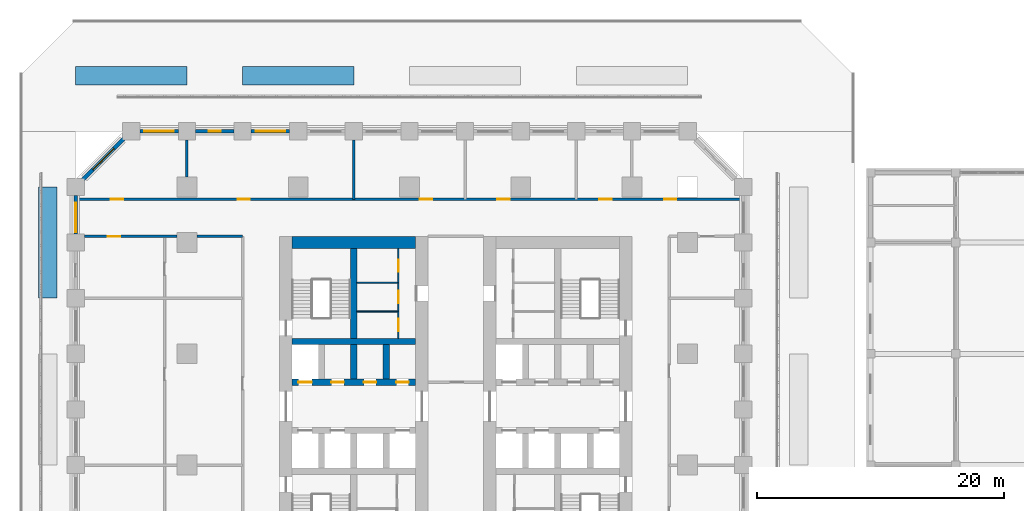
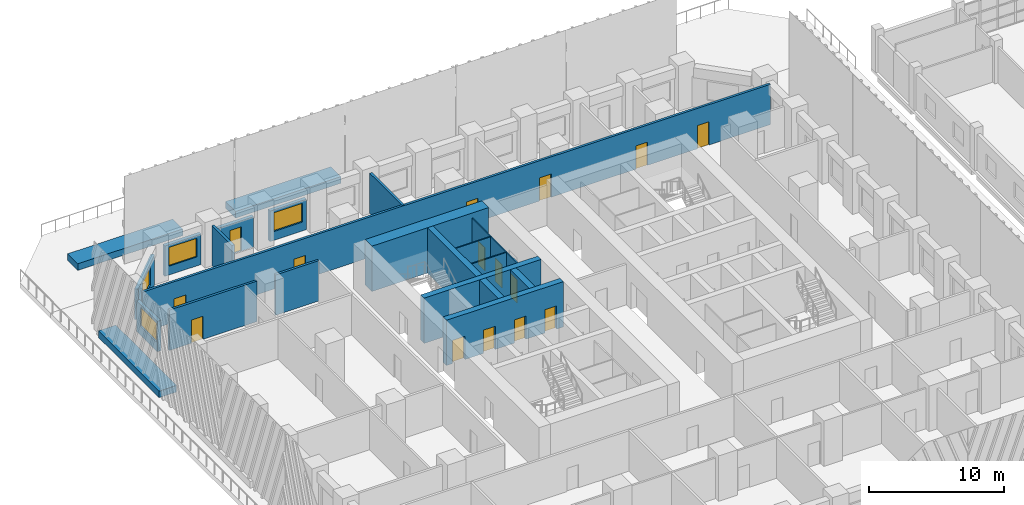
# One storey, part 20 of 36: 24 walls, 15 doors, 4 windows, 19 openings.
"""IFC4 building model written with IfcOpenShell, lengths in metres."""

from ifc_helpers import new_model, si_unit, direction, frame, frame_2d, origin, place, context, subcontext, project, spatial, rectangle, extrude, material, layer, layer_set, type_object, element, fill, save


model = new_model("IFC4")

# Units and contexts
model_context = context("Model", 3, precision=1e-05, world=origin(), true_north=direction((0.0, 1.0)))
body_context = subcontext(model_context, "Body", "Model", "MODEL_VIEW")
ifc_project = project(units=[si_unit("LENGTHUNIT", "METRE"), si_unit("AREAUNIT", "SQUARE_METRE"), si_unit("VOLUMEUNIT", "CUBIC_METRE"), si_unit("PLANEANGLEUNIT", "RADIAN"), si_unit("MASSUNIT", "GRAM", prefix="KILO")], contexts=[model_context])

# Site, building, storey
site_placement = place(None, origin())
site = spatial("IfcSite", under=ifc_project, at=site_placement, CompositionType="ELEMENT")
building_placement = place(site_placement, origin())
building = spatial("IfcBuilding", under=site, at=building_placement, Name="Corbel Stack Research Tower", CompositionType="ELEMENT")
storey_placement = place(building_placement, frame((0.0, 0.0, 7.199951171875)))
storey = spatial("IfcBuildingStorey", under=building, at=storey_placement, Name="L01", CompositionType="ELEMENT", Elevation=7.199951171875)

# Wall
ifc_material_1 = material(Name="Concrete C70/85", Category="concrete")
ifc_layer_1 = layer(ifc_material_1, 1.0)
ifc_layer_set_1 = layer_set([ifc_layer_1], Name="Concrete C70/85")
wall_type_1 = type_object("IfcWallType", Name="CW-1000-70", PredefinedType="SHEAR", material=ifc_layer_set_1)
wall_1_placement = place(storey_placement, frame((-9.5, 18.0, 0.0), z_axis=(0.0, 0.0, 1.0), x_axis=(1.0, 0.0, 0.0)))
element("IfcWall", 1, at=wall_1_placement, inside=storey, type_object=wall_type_1, Name="West core wall, north end L01", PredefinedType="SHEAR", context=body_context, shape_type="SweptSolid", body=[
    extrude(rectangle(XDim=10.0, YDim=1.0, at=frame_2d((5.0, 0.0))), origin(), (0.0, 0.0, 1.0), 4.10009765625),
])

# Wall, openings, doors
ifc_material_2 = material(Name="Concrete C70/85", Category="concrete")
ifc_layer_2 = layer(ifc_material_2, 0.5)
ifc_layer_set_2 = layer_set([ifc_layer_2], Name="Concrete C70/85")
wall_type_2 = type_object("IfcWallType", Name="CW-500-70", PredefinedType="SHEAR", material=ifc_layer_set_2)
wall_2_placement = place(storey_placement, frame((-9.5, 6.699951171875, 0.0), z_axis=(0.0, 0.0, 1.0), x_axis=(1.0, 0.0, 0.0)))
wall_2 = element("IfcWall", 2, at=wall_2_placement, inside=storey, type_object=wall_type_2, Name="West core wall, lobby north L01", PredefinedType="SHEAR", context=body_context, shape_type="SweptSolid", body=[
    extrude(rectangle(XDim=10.0, YDim=0.5, at=frame_2d((5.0, 0.0))), origin(), (0.0, 0.0, 1.0), 4.10009765625),
])
opening_1_placement = place(wall_2_placement, frame((0.512451171875, 0.0, 0.0)))
opening_1 = element("IfcOpeningElement", 3, at=opening_1_placement, cuts=wall_2, Name="Opening LD-LR2", PredefinedType="OPENING", context=body_context, shape_type="SweptSolid", body=[
    extrude(rectangle(XDim=1.10009765625, YDim=2.10009765625, at=frame_2d((0.550048828125, 1.050048828125))), frame((0.0, 0.260009765625, 0.0), z_axis=(0.0, -1.0, 0.0), x_axis=(1.0, 0.0, 0.0)), (0.0, 0.0, 1.0), 0.52001953125),
])
opening_2_placement = place(wall_2_placement, frame((3.1875, 0.0, 0.0)))
opening_2 = element("IfcOpeningElement", 4, at=opening_2_placement, cuts=wall_2, Name="Opening CR-W12-N2", PredefinedType="OPENING", context=body_context, shape_type="SweptSolid", body=[
    extrude(rectangle(XDim=1.0, YDim=2.10009765625, at=frame_2d((0.5, 1.050048828125))), frame((0.0, 0.260009765625, 0.0), z_axis=(0.0, -1.0, 0.0), x_axis=(1.0, 0.0, 0.0)), (0.0, 0.0, 1.0), 0.52001953125),
])
opening_3_placement = place(wall_2_placement, frame((5.8125, 0.0, 0.0)))
opening_3 = element("IfcOpeningElement", 5, at=opening_3_placement, cuts=wall_2, Name="Opening CR-W12-N3", PredefinedType="OPENING", context=body_context, shape_type="SweptSolid", body=[
    extrude(rectangle(XDim=1.0, YDim=2.10009765625, at=frame_2d((0.5, 1.050048828125))), frame((0.0, 0.260009765625, 0.0), z_axis=(0.0, -1.0, 0.0), x_axis=(1.0, 0.0, 0.0)), (0.0, 0.0, 1.0), 0.52001953125),
])
opening_4_placement = place(wall_2_placement, frame((8.4375, 0.0, 0.0)))
opening_4 = element("IfcOpeningElement", 6, at=opening_4_placement, cuts=wall_2, Name="Opening CR-W12-N4", PredefinedType="OPENING", context=body_context, shape_type="SweptSolid", body=[
    extrude(rectangle(XDim=1.0, YDim=2.10009765625, at=frame_2d((0.5, 1.050048828125))), frame((0.0, 0.260009765625, 0.0), z_axis=(0.0, -1.0, 0.0), x_axis=(1.0, 0.0, 0.0)), (0.0, 0.0, 1.0), 0.52001953125),
])
ifc_material_3 = material(Name="Stainless steel landing door", Category="steel")
door_type_1 = type_object("IfcDoorType", Name="Lift landing door 1100 x 2100", OperationType="DOUBLE_DOOR_SLIDING", PredefinedType="DOOR", material=ifc_material_3)
door_1_placement = place(opening_1_placement, origin())
door_1 = element("IfcDoor", 7, at=door_1_placement, inside=storey, type_object=door_type_1, Name="Landing door LR2", OperationType="DOUBLE_DOOR_SLIDING", OverallHeight=2.10009765625, OverallWidth=1.10009765625, PredefinedType="DOOR", context=body_context, shape_type="SweptSolid", body=[
    extrude(rectangle(XDim=1.10009765625, YDim=2.10009765625, at=frame_2d((0.550048828125, 1.050048828125))), frame((0.0, 0.02490234375, 0.0), z_axis=(0.0, -1.0, 0.0), x_axis=(1.0, 0.0, 0.0)), (0.0, 0.0, 1.0), 0.050048828125),
])
fill(opening_1, door_1)
ifc_material_4 = material(Name="Painted steel door", Category="steel")
door_type_2 = type_object("IfcDoorType", Name="Service door 1000 x 2100 FD60 left hand", OperationType="SINGLE_SWING_LEFT", PredefinedType="DOOR", material=ifc_material_4)
door_2_placement = place(opening_3_placement, origin())
door_2 = element("IfcDoor", 8, at=door_2_placement, inside=storey, type_object=door_type_2, Name="Mechanical room door W core", OperationType="SINGLE_SWING_LEFT", OverallHeight=2.10009765625, OverallWidth=1.0, PredefinedType="DOOR", context=body_context, shape_type="SweptSolid", body=[
    extrude(rectangle(XDim=1.0, YDim=2.10009765625, at=frame_2d((0.5, 1.050048828125))), frame((0.0, 0.02490234375, 0.0), z_axis=(0.0, -1.0, 0.0), x_axis=(1.0, 0.0, 0.0)), (0.0, 0.0, 1.0), 0.050048828125),
])
fill(opening_3, door_2)
ifc_material_5 = material(Name="Painted steel door", Category="steel")
door_type_3 = type_object("IfcDoorType", Name="Service door 1000 x 2100 FD60 right hand", OperationType="SINGLE_SWING_RIGHT", PredefinedType="DOOR", material=ifc_material_5)
door_3_placement = place(opening_2_placement, origin())
door_3 = element("IfcDoor", 9, at=door_3_placement, inside=storey, type_object=door_type_3, Name="Vending bay door W core", OperationType="SINGLE_SWING_RIGHT", OverallHeight=2.10009765625, OverallWidth=1.0, PredefinedType="DOOR", context=body_context, shape_type="SweptSolid", body=[
    extrude(rectangle(XDim=1.0, YDim=2.10009765625, at=frame_2d((0.5, 1.050048828125))), frame((0.0, 0.02490234375, 0.0), z_axis=(0.0, -1.0, 0.0), x_axis=(1.0, 0.0, 0.0)), (0.0, 0.0, 1.0), 0.050048828125),
])
fill(opening_2, door_3)
door_4_placement = place(opening_4_placement, origin())
door_4 = element("IfcDoor", 10, at=door_4_placement, inside=storey, type_object=door_type_3, Name="Telecom room door W core", OperationType="SINGLE_SWING_RIGHT", OverallHeight=2.10009765625, OverallWidth=1.0, PredefinedType="DOOR", context=body_context, shape_type="SweptSolid", body=[
    extrude(rectangle(XDim=1.0, YDim=2.10009765625, at=frame_2d((0.5, 1.050048828125))), frame((0.0, 0.02490234375, 0.0), z_axis=(0.0, -1.0, 0.0), x_axis=(1.0, 0.0, 0.0)), (0.0, 0.0, 1.0), 0.050048828125),
])
fill(opening_4, door_4)

# Walls
wall_3_placement = place(storey_placement, frame((-9.5, 10.0, 0.0), z_axis=(0.0, 0.0, 1.0), x_axis=(1.0, 0.0, 0.0)))
element("IfcWall", 11, at=wall_3_placement, inside=storey, type_object=wall_type_2, Name="West core wall, north row back L01", PredefinedType="SHEAR", context=body_context, shape_type="SweptSolid", body=[
    extrude(rectangle(XDim=10.0, YDim=0.5, at=frame_2d((5.0, 0.0))), origin(), (0.0, 0.0, 1.0), 4.10009765625),
])
for number, where, z_axis, x_axis, name in (
    (12, (-4.5, 6.949951171875, 0.0), (0.0, 0.0, 1.0), (0.0, 1.0, 0.0), "West core wall, north shaft 2 L01"),
    (13, (-1.875, 6.949951171875, 0.0), (0.0, 0.0, 1.0), (0.0, 1.0, 0.0), "West core wall, north shaft 3 L01"),
):
    element("IfcWall", number, at=place(storey_placement, frame(where, z_axis=z_axis, x_axis=x_axis)), inside=storey, type_object=wall_type_2, Name=name, PredefinedType="SHEAR", context=body_context, shape_type="SweptSolid", body=[
        extrude(rectangle(XDim=2.800048828125, YDim=0.5, at=frame_2d((1.39990234375, 0.0))), origin(), (0.0, 0.0, 1.0), 4.10009765625),
    ])
wall_4_placement = place(storey_placement, frame((-4.5, 10.25, 0.0), z_axis=(0.0, 0.0, 1.0), x_axis=(0.0, 1.0, 0.0)))
element("IfcWall", 14, at=wall_4_placement, inside=storey, type_object=wall_type_2, Name="West core wall, north stair and riser L01", PredefinedType="SHEAR", context=body_context, shape_type="SweptSolid", body=[
    extrude(rectangle(XDim=7.25, YDim=0.5, at=frame_2d((3.625, 0.0))), origin(), (0.0, 0.0, 1.0), 4.10009765625),
])

# Wall, opening, door
ifc_material_6 = material(Name="Gypsum board")
ifc_layer_3 = layer(ifc_material_6, 0.10009765625)
ifc_layer_set_3 = layer_set([ifc_layer_3], Name="Gypsum board")
wall_type_3 = type_object("IfcWallType", Name="Core partition 100", PredefinedType="PARTITIONING", material=ifc_layer_set_3)
wall_5_placement = place(storey_placement, frame((-0.89990234375, 10.25, 0.0), z_axis=(0.0, 0.0, 1.0), x_axis=(0.0, 1.0, 0.0)))
wall_5 = element("IfcWall", 15, at=wall_5_placement, inside=storey, type_object=wall_type_3, Name="Core partition W", PredefinedType="PARTITIONING", context=body_context, shape_type="SweptSolid", body=[
    extrude(rectangle(XDim=2.175048828125, YDim=0.10009765625, at=frame_2d((1.08740234375, 0.0))), origin(), (0.0, 0.0, 1.0), 3.650146484375),
])
opening_5_placement = place(wall_5_placement, frame((0.58740234375, 0.0, 0.0)))
opening_5 = element("IfcOpeningElement", 16, at=opening_5_placement, cuts=wall_5, Name="Opening CR-W12-R2-1000", PredefinedType="OPENING", context=body_context, shape_type="SweptSolid", body=[
    extrude(rectangle(XDim=1.0, YDim=2.10009765625, at=frame_2d((0.5, 1.050048828125))), frame((0.0, 0.06005859375, 0.0), z_axis=(0.0, -1.0, 0.0), x_axis=(1.0, 0.0, 0.0)), (0.0, 0.0, 1.0), 0.1201171875),
])
ifc_material_7 = material(Name="Painted steel door", Category="steel")
door_type_4 = type_object("IfcDoorType", Name="Riser door 1000 x 2100 FD60 right hand", OperationType="SINGLE_SWING_RIGHT", PredefinedType="DOOR", material=ifc_material_7)
door_5_placement = place(opening_5_placement, origin())
door_5 = element("IfcDoor", 17, at=door_5_placement, inside=storey, type_object=door_type_4, Name="Mechanical riser door W core", OperationType="SINGLE_SWING_RIGHT", OverallHeight=2.10009765625, OverallWidth=1.0, PredefinedType="DOOR", context=body_context, shape_type="SweptSolid", body=[
    extrude(rectangle(XDim=1.0, YDim=2.10009765625, at=frame_2d((0.5, 1.050048828125))), frame((0.0, 0.02490234375, 0.0), z_axis=(0.0, -1.0, 0.0), x_axis=(1.0, 0.0, 0.0)), (0.0, 0.0, 1.0), 0.050048828125),
])
fill(opening_5, door_5)

wall_6_placement = place(storey_placement, frame((-0.89990234375, 12.425048828125, 0.0), z_axis=(0.0, 0.0, 1.0), x_axis=(0.0, 1.0, 0.0)))
wall_6 = element("IfcWall", 18, at=wall_6_placement, inside=storey, type_object=wall_type_3, Name="Core partition W", PredefinedType="PARTITIONING", context=body_context, shape_type="SweptSolid", body=[
    extrude(rectangle(XDim=2.320068359375, YDim=0.10009765625, at=frame_2d((1.16015625, 0.0))), origin(), (0.0, 0.0, 1.0), 3.650146484375),
])
opening_6_placement = place(wall_6_placement, frame((0.659912109375, 0.0, 0.0)))
opening_6 = element("IfcOpeningElement", 19, at=opening_6_placement, cuts=wall_6, Name="Opening CR-W12-R3-1000", PredefinedType="OPENING", context=body_context, shape_type="SweptSolid", body=[
    extrude(rectangle(XDim=1.0, YDim=2.10009765625, at=frame_2d((0.5, 1.050048828125))), frame((0.0, 0.06005859375, 0.0), z_axis=(0.0, -1.0, 0.0), x_axis=(1.0, 0.0, 0.0)), (0.0, 0.0, 1.0), 0.1201171875),
])
ifc_material_8 = material(Name="Painted steel door", Category="steel")
door_type_5 = type_object("IfcDoorType", Name="Service door 1000 x 2100 FD30 left hand", OperationType="SINGLE_SWING_LEFT", PredefinedType="DOOR", material=ifc_material_8)
door_6_placement = place(opening_6_placement, origin())
door_6 = element("IfcDoor", 20, at=door_6_placement, inside=storey, type_object=door_type_5, Name="Pantry door W core", OperationType="SINGLE_SWING_LEFT", OverallHeight=2.10009765625, OverallWidth=1.0, PredefinedType="DOOR", context=body_context, shape_type="SweptSolid", body=[
    extrude(rectangle(XDim=1.0, YDim=2.10009765625, at=frame_2d((0.5, 1.050048828125))), frame((0.0, 0.02490234375, 0.0), z_axis=(0.0, -1.0, 0.0), x_axis=(1.0, 0.0, 0.0)), (0.0, 0.0, 1.0), 0.050048828125),
])
fill(opening_6, door_6)

wall_7_placement = place(storey_placement, frame((-0.89990234375, 14.7451171875, 0.0), z_axis=(0.0, 0.0, 1.0), x_axis=(0.0, 1.0, 0.0)))
wall_7 = element("IfcWall", 21, at=wall_7_placement, inside=storey, type_object=wall_type_3, Name="Core partition W", PredefinedType="PARTITIONING", context=body_context, shape_type="SweptSolid", body=[
    extrude(rectangle(XDim=2.7548828125, YDim=0.10009765625, at=frame_2d((1.37744140625, 0.0))), origin(), (0.0, 0.0, 1.0), 3.650146484375),
])
opening_7_placement = place(wall_7_placement, frame((0.87744140625, 0.0, 0.0)))
opening_7 = element("IfcOpeningElement", 22, at=opening_7_placement, cuts=wall_7, Name="Opening CR-W12-R4-1000", PredefinedType="OPENING", context=body_context, shape_type="SweptSolid", body=[
    extrude(rectangle(XDim=1.0, YDim=2.10009765625, at=frame_2d((0.5, 1.050048828125))), frame((0.0, 0.06005859375, 0.0), z_axis=(0.0, -1.0, 0.0), x_axis=(1.0, 0.0, 0.0)), (0.0, 0.0, 1.0), 0.1201171875),
])
door_7_placement = place(opening_7_placement, origin())
door_7 = element("IfcDoor", 23, at=door_7_placement, inside=storey, type_object=door_type_4, Name="Electrical riser door W core", OperationType="SINGLE_SWING_RIGHT", OverallHeight=2.10009765625, OverallWidth=1.0, PredefinedType="DOOR", context=body_context, shape_type="SweptSolid", body=[
    extrude(rectangle(XDim=1.0, YDim=2.10009765625, at=frame_2d((0.5, 1.050048828125))), frame((0.0, 0.02490234375, 0.0), z_axis=(0.0, -1.0, 0.0), x_axis=(1.0, 0.0, 0.0)), (0.0, 0.0, 1.0), 0.050048828125),
])
fill(opening_7, door_7)

# Walls
for number, where, z_axis, x_axis, name in (
    (24, (-4.25, 12.425048828125, 0.0), (0.0, 0.0, 1.0), (1.0, 0.0, 0.0), "Core partition W"),
    (25, (-4.25, 14.7451171875, 0.0), (0.0, 0.0, 1.0), (1.0, 0.0, 0.0), "Core partition W"),
):
    element("IfcWall", number, at=place(storey_placement, frame(where, z_axis=z_axis, x_axis=x_axis)), inside=storey, type_object=wall_type_3, Name=name, PredefinedType="PARTITIONING", context=body_context, shape_type="SweptSolid", body=[
        extrude(rectangle(XDim=3.35009765625, YDim=0.10009765625, at=frame_2d((1.675048828125, 0.0))), origin(), (0.0, 0.0, 1.0), 3.650146484375),
    ])
ifc_material_9 = material(Name="Fire-rated gypsum board partition on steel studs", Category="steel")
ifc_layer_4 = layer(ifc_material_9, 0.199951171875)
ifc_layer_set_4 = layer_set([ifc_layer_4], Name="Fire-rated gypsum board partition on steel studs")
wall_type_4 = type_object("IfcWallType", Name="Fire-rated partition 200 EI 60", PredefinedType="PARTITIONING", material=ifc_layer_set_4)
wall_8_placement = place(storey_placement, frame((-18.0, 23.300048828125, 0.0), z_axis=(0.0, 0.0, 1.0), x_axis=(0.0, 1.0, 0.0)))
element("IfcWall", 26, at=wall_8_placement, inside=storey, type_object=wall_type_4, Name="Partition L01-004", PredefinedType="PARTITIONING", context=body_context, shape_type="SweptSolid", body=[
    extrude(rectangle(XDim=3.0, YDim=0.199951171875, at=frame_2d((1.5, 0.0))), origin(), (0.0, 0.0, 1.0), 3.650146484375),
])
wall_9_placement = place(storey_placement, frame((-4.5, 21.5, 0.0), z_axis=(0.0, 0.0, 1.0), x_axis=(0.0, 1.0, 0.0)))
element("IfcWall", 27, at=wall_9_placement, inside=storey, type_object=wall_type_4, Name="Partition L01-007", PredefinedType="PARTITIONING", context=body_context, shape_type="SweptSolid", body=[
    extrude(rectangle(XDim=4.800048828125, YDim=0.199951171875, at=frame_2d((2.39990234375, 0.0))), origin(), (0.0, 0.0, 1.0), 3.650146484375),
])

# Wall, opening, door
wall_10_placement = place(storey_placement, frame((-18.800048828125, 18.5, 0.0), z_axis=(0.0, 0.0, 1.0), x_axis=(-1.0, 0.0, 0.0)))
wall_10 = element("IfcWall", 28, at=wall_10_placement, inside=storey, type_object=wall_type_4, Name="Partition L01-035", PredefinedType="PARTITIONING", context=body_context, shape_type="SweptSolid", body=[
    extrude(rectangle(XDim=7.5, YDim=0.199951171875, at=frame_2d((3.75, 0.0))), origin(), (0.0, 0.0, 1.0), 3.650146484375),
])
opening_8_placement = place(wall_10_placement, frame((4.60009765625, 0.0, 0.0)))
opening_8 = element("IfcOpeningElement", 29, at=opening_8_placement, cuts=wall_10, Name="Opening B1V0H-019", PredefinedType="OPENING", context=body_context, shape_type="SweptSolid", body=[
    extrude(rectangle(XDim=1.0, YDim=2.10009765625, at=frame_2d((0.5, 1.050048828125))), frame((0.0, 0.10986328125, 0.0), z_axis=(0.0, -1.0, 0.0), x_axis=(1.0, 0.0, 0.0)), (0.0, 0.0, 1.0), 0.219970703125),
])
ifc_material_10 = material(Name="Painted steel fire door", Category="steel")
door_type_6 = type_object("IfcDoorType", Name="Fire door FD30S 1000 x 2100", OperationType="NOTDEFINED", PredefinedType="DOOR", material=ifc_material_10)
door_8_placement = place(opening_8_placement, origin())
door_8 = element("IfcDoor", 30, at=door_8_placement, inside=storey, type_object=door_type_6, Name="Door B1V0H-019", OperationType="SINGLE_SWING_RIGHT", OverallHeight=2.10009765625, OverallWidth=1.0, PredefinedType="DOOR", context=body_context, shape_type="SweptSolid", body=[
    extrude(rectangle(XDim=1.0, YDim=2.10009765625, at=frame_2d((0.5, 1.050048828125))), frame((0.0, 0.02490234375, 0.0), z_axis=(0.0, -1.0, 0.0), x_axis=(1.0, 0.0, 0.0)), (0.0, 0.0, 1.0), 0.050048828125),
])
fill(opening_8, door_8)

# Wall
wall_11_placement = place(storey_placement, frame((-17.199951171875, 18.5, 0.0), z_axis=(0.0, 0.0, 1.0), x_axis=(1.0, 0.0, 0.0)))
element("IfcWall", 31, at=wall_11_placement, inside=storey, type_object=wall_type_4, Name="Partition L01-036", PredefinedType="PARTITIONING", context=body_context, shape_type="SweptSolid", body=[
    extrude(rectangle(XDim=3.699951171875, YDim=0.199951171875, at=frame_2d((1.85009765625, 0.0))), origin(), (0.0, 0.0, 1.0), 3.650146484375),
])

# Wall, openings, doors
wall_12_placement = place(storey_placement, frame((-26.85009765625, 21.5, 0.0), z_axis=(0.0, 0.0, 1.0), x_axis=(1.0, 0.0, 0.0)))
wall_12 = element("IfcWall", 32, at=wall_12_placement, inside=storey, type_object=wall_type_4, Name="Partition L01-040", PredefinedType="PARTITIONING", context=body_context, shape_type="SweptSolid", body=[
    extrude(rectangle(XDim=53.7001953125, YDim=0.199951171875, at=frame_2d((26.85009765625, 0.0))), origin(), (0.0, 0.0, 1.0), 3.650146484375),
])
opening_9_placement = place(wall_12_placement, frame((2.699951171875, 0.0, 0.0)))
opening_9 = element("IfcOpeningElement", 33, at=opening_9_placement, cuts=wall_12, Name="Opening B1V0H-023", PredefinedType="OPENING", context=body_context, shape_type="SweptSolid", body=[
    extrude(rectangle(XDim=1.0, YDim=2.10009765625, at=frame_2d((0.5, 1.050048828125))), frame((0.0, 0.10986328125, 0.0), z_axis=(0.0, -1.0, 0.0), x_axis=(1.0, 0.0, 0.0)), (0.0, 0.0, 1.0), 0.219970703125),
])
opening_10_placement = place(wall_12_placement, frame((12.949951171875, 0.0, 0.0)))
opening_10 = element("IfcOpeningElement", 34, at=opening_10_placement, cuts=wall_12, Name="Opening B1V0H-024", PredefinedType="OPENING", context=body_context, shape_type="SweptSolid", body=[
    extrude(rectangle(XDim=1.0, YDim=2.10009765625, at=frame_2d((0.5, 1.050048828125))), frame((0.0, 0.10986328125, 0.0), z_axis=(0.0, -1.0, 0.0), x_axis=(1.0, 0.0, 0.0)), (0.0, 0.0, 1.0), 0.219970703125),
])
opening_11_placement = place(wall_12_placement, frame((27.699951171875, 0.0, 0.0)))
opening_11 = element("IfcOpeningElement", 35, at=opening_11_placement, cuts=wall_12, Name="Opening B1V0H-025", PredefinedType="OPENING", context=body_context, shape_type="SweptSolid", body=[
    extrude(rectangle(XDim=1.0, YDim=2.10009765625, at=frame_2d((0.5, 1.050048828125))), frame((0.0, 0.10986328125, 0.0), z_axis=(0.0, -1.0, 0.0), x_axis=(1.0, 0.0, 0.0)), (0.0, 0.0, 1.0), 0.219970703125),
])
opening_12_placement = place(wall_12_placement, frame((33.949951171875, 0.0, 0.0)))
opening_12 = element("IfcOpeningElement", 36, at=opening_12_placement, cuts=wall_12, Name="Opening B1V0H-026", PredefinedType="OPENING", context=body_context, shape_type="SweptSolid", body=[
    extrude(rectangle(XDim=1.0, YDim=2.10009765625, at=frame_2d((0.5, 1.050048828125))), frame((0.0, 0.10986328125, 0.0), z_axis=(0.0, -1.0, 0.0), x_axis=(1.0, 0.0, 0.0)), (0.0, 0.0, 1.0), 0.219970703125),
])
opening_13_placement = place(wall_12_placement, frame((42.199951171875, 0.0, 0.0)))
opening_13 = element("IfcOpeningElement", 37, at=opening_13_placement, cuts=wall_12, Name="Opening B1V0H-027", PredefinedType="OPENING", context=body_context, shape_type="SweptSolid", body=[
    extrude(rectangle(XDim=1.0, YDim=2.10009765625, at=frame_2d((0.5, 1.050048828125))), frame((0.0, 0.10986328125, 0.0), z_axis=(0.0, -1.0, 0.0), x_axis=(1.0, 0.0, 0.0)), (0.0, 0.0, 1.0), 0.219970703125),
])
opening_14_placement = place(wall_12_placement, frame((47.449951171875, 0.0, 0.0)))
opening_14 = element("IfcOpeningElement", 38, at=opening_14_placement, cuts=wall_12, Name="Opening B1V0H-028", PredefinedType="OPENING", context=body_context, shape_type="SweptSolid", body=[
    extrude(rectangle(XDim=1.0, YDim=2.10009765625, at=frame_2d((0.5, 1.050048828125))), frame((0.0, 0.10986328125, 0.0), z_axis=(0.0, -1.0, 0.0), x_axis=(1.0, 0.0, 0.0)), (0.0, 0.0, 1.0), 0.219970703125),
])
door_9_placement = place(opening_9_placement, origin())
door_9 = element("IfcDoor", 39, at=door_9_placement, inside=storey, type_object=door_type_6, Name="Door B1V0H-023", OperationType="SINGLE_SWING_LEFT", OverallHeight=2.10009765625, OverallWidth=1.0, PredefinedType="DOOR", context=body_context, shape_type="SweptSolid", body=[
    extrude(rectangle(XDim=1.0, YDim=2.10009765625, at=frame_2d((0.5, 1.050048828125))), frame((0.0, 0.02490234375, 0.0), z_axis=(0.0, -1.0, 0.0), x_axis=(1.0, 0.0, 0.0)), (0.0, 0.0, 1.0), 0.050048828125),
])
fill(opening_9, door_9)
door_10_placement = place(opening_10_placement, origin())
door_10 = element("IfcDoor", 40, at=door_10_placement, inside=storey, type_object=door_type_6, Name="Door B1V0H-024", OperationType="SINGLE_SWING_LEFT", OverallHeight=2.10009765625, OverallWidth=1.0, PredefinedType="DOOR", context=body_context, shape_type="SweptSolid", body=[
    extrude(rectangle(XDim=1.0, YDim=2.10009765625, at=frame_2d((0.5, 1.050048828125))), frame((0.0, 0.02490234375, 0.0), z_axis=(0.0, -1.0, 0.0), x_axis=(1.0, 0.0, 0.0)), (0.0, 0.0, 1.0), 0.050048828125),
])
fill(opening_10, door_10)
door_11_placement = place(opening_11_placement, origin())
door_11 = element("IfcDoor", 41, at=door_11_placement, inside=storey, type_object=door_type_6, Name="Door B1V0H-025", OperationType="SINGLE_SWING_RIGHT", OverallHeight=2.10009765625, OverallWidth=1.0, PredefinedType="DOOR", context=body_context, shape_type="SweptSolid", body=[
    extrude(rectangle(XDim=1.0, YDim=2.10009765625, at=frame_2d((0.5, 1.050048828125))), frame((0.0, 0.02490234375, 0.0), z_axis=(0.0, -1.0, 0.0), x_axis=(1.0, 0.0, 0.0)), (0.0, 0.0, 1.0), 0.050048828125),
])
fill(opening_11, door_11)
door_12_placement = place(opening_12_placement, origin())
door_12 = element("IfcDoor", 42, at=door_12_placement, inside=storey, type_object=door_type_6, Name="Door B1V0H-026", OperationType="SINGLE_SWING_RIGHT", OverallHeight=2.10009765625, OverallWidth=1.0, PredefinedType="DOOR", context=body_context, shape_type="SweptSolid", body=[
    extrude(rectangle(XDim=1.0, YDim=2.10009765625, at=frame_2d((0.5, 1.050048828125))), frame((0.0, 0.02490234375, 0.0), z_axis=(0.0, -1.0, 0.0), x_axis=(1.0, 0.0, 0.0)), (0.0, 0.0, 1.0), 0.050048828125),
])
fill(opening_12, door_12)
door_13_placement = place(opening_13_placement, origin())
door_13 = element("IfcDoor", 43, at=door_13_placement, inside=storey, type_object=door_type_6, Name="Door B1V0H-027", OperationType="SINGLE_SWING_RIGHT", OverallHeight=2.10009765625, OverallWidth=1.0, PredefinedType="DOOR", context=body_context, shape_type="SweptSolid", body=[
    extrude(rectangle(XDim=1.0, YDim=2.10009765625, at=frame_2d((0.5, 1.050048828125))), frame((0.0, 0.02490234375, 0.0), z_axis=(0.0, -1.0, 0.0), x_axis=(1.0, 0.0, 0.0)), (0.0, 0.0, 1.0), 0.050048828125),
])
fill(opening_13, door_13)
door_14_placement = place(opening_14_placement, origin())
door_14 = element("IfcDoor", 44, at=door_14_placement, inside=storey, type_object=door_type_6, Name="Door B1V0H-028", OperationType="SINGLE_SWING_RIGHT", OverallHeight=2.10009765625, OverallWidth=1.0, PredefinedType="DOOR", context=body_context, shape_type="SweptSolid", body=[
    extrude(rectangle(XDim=1.0, YDim=2.10009765625, at=frame_2d((0.5, 1.050048828125))), frame((0.0, 0.02490234375, 0.0), z_axis=(0.0, -1.0, 0.0), x_axis=(1.0, 0.0, 0.0)), (0.0, 0.0, 1.0), 0.050048828125),
])
fill(opening_14, door_14)

# Walls
ifc_material_11 = material(Name="Concrete C30/37", Category="concrete")
ifc_layer_5 = layer(ifc_material_11, 1.5)
ifc_layer_set_5 = layer_set([ifc_layer_5], Name="Concrete C30/37")
wall_type_5 = type_object("IfcWallType", Name="SW2 planter bed 1500", PredefinedType="SOLIDWALL", material=ifc_layer_set_5)
for number, where, z_axis, x_axis, name in (
    (45, (-27.0, 31.5, 0.0), (0.0, 0.0, 1.0), (1.0, 0.0, 0.0), "PLANTER 1"),
    (46, (-13.5, 31.5, 0.0), (0.0, 0.0, 1.0), (1.0, 0.0, 0.0), "PLANTER 2"),
    (47, (-29.25, 13.5, 0.0), (0.0, 0.0, 1.0), (0.0, 1.0, 0.0), "PLANTER 7"),
):
    element("IfcWall", number, at=place(storey_placement, frame(where, z_axis=z_axis, x_axis=x_axis)), inside=storey, type_object=wall_type_5, Name=name, PredefinedType="SOLIDWALL", context=body_context, shape_type="SweptSolid", body=[
        extrude(rectangle(XDim=9.0, YDim=1.5, at=frame_2d((4.5, 0.0))), origin(), (0.0, 0.0, 1.0), 0.60009765625),
    ])

# Wall, opening, window
ifc_material_12 = material(Name="Concrete C45/55", Category="concrete")
ifc_layer_6 = layer(ifc_material_12, 0.300048828125)
ifc_layer_set_6 = layer_set([ifc_layer_6], Name="Concrete C45/55")
wall_type_6 = type_object("IfcWallType", Name="Terracotta-faced concrete wall 300", PredefinedType="SOLIDWALL", material=ifc_layer_set_6)
wall_13_placement = place(storey_placement, frame((-12.800048828125, 27.0, 0.0), z_axis=(0.0, 0.0, 1.0), x_axis=(1.0, 0.0, 0.0)))
wall_13 = element("IfcWall", 48, at=wall_13_placement, inside=storey, type_object=wall_type_6, Name="Facade wall L01 N08", PredefinedType="SOLIDWALL", context=body_context, shape_type="SweptSolid", body=[
    extrude(rectangle(XDim=3.10009765625, YDim=0.300048828125, at=frame_2d((1.550048828125, 0.0))), origin(), (0.0, 0.0, 1.0), 2.75),
])
opening_15_placement = place(wall_13_placement, frame((0.35009765625, 0.0, 0.800048828125)))
opening_15 = element("IfcOpeningElement", 49, at=opening_15_placement, cuts=wall_13, Name="Opening W1", PredefinedType="OPENING", context=body_context, shape_type="SweptSolid", body=[
    extrude(rectangle(XDim=2.39990234375, YDim=1.699951171875, at=frame_2d((1.199951171875, 0.85009765625))), frame((0.0, 0.159912109375, 0.0), z_axis=(0.0, -1.0, 0.0), x_axis=(1.0, 0.0, 0.0)), (0.0, 0.0, 1.0), 0.320068359375),
])
ifc_material_13 = material(Name="Aluminium frame, clear double glazing", Category="aluminium")
window_type = type_object("IfcWindowType", Name="Window W1 2400 x 1700", PartitioningType="SINGLE_PANEL", PredefinedType="WINDOW", material=ifc_material_13)
window_1_placement = place(opening_15_placement, origin())
window_1 = element("IfcWindow", 50, at=window_1_placement, inside=storey, type_object=window_type, Name="Window W1 L01 N08", OverallHeight=1.699951171875, OverallWidth=2.39990234375, PartitioningType="SINGLE_PANEL", PredefinedType="WINDOW", context=body_context, shape_type="SweptSolid", body=[
    extrude(rectangle(XDim=2.39990234375, YDim=1.699951171875, at=frame_2d((1.199951171875, 0.85009765625))), frame((0.0, 0.030029296875, 0.0), z_axis=(0.0, -1.0, 0.0), x_axis=(1.0, 0.0, 0.0)), (0.0, 0.0, 1.0), 0.06005859375),
])
fill(opening_15, window_1)

# Wall, opening, door
wall_14_placement = place(storey_placement, frame((-17.300048828125, 27.0, 0.0), z_axis=(0.0, 0.0, 1.0), x_axis=(1.0, 0.0, 0.0)))
wall_14 = element("IfcWall", 51, at=wall_14_placement, inside=storey, type_object=wall_type_6, Name="Facade wall L01 N09", PredefinedType="SOLIDWALL", context=body_context, shape_type="SweptSolid", body=[
    extrude(rectangle(XDim=3.10009765625, YDim=0.300048828125, at=frame_2d((1.550048828125, 0.0))), origin(), (0.0, 0.0, 1.0), 2.75),
])
opening_16_placement = place(wall_14_placement, frame((1.050048828125, 0.0, 0.0)))
opening_16 = element("IfcOpeningElement", 52, at=opening_16_placement, cuts=wall_14, Name="Opening L01-B06", PredefinedType="OPENING", context=body_context, shape_type="SweptSolid", body=[
    extrude(rectangle(XDim=1.0, YDim=2.199951171875, at=frame_2d((0.5, 1.10009765625))), frame((0.0, 0.159912109375, 0.0), z_axis=(0.0, -1.0, 0.0), x_axis=(1.0, 0.0, 0.0)), (0.0, 0.0, 1.0), 0.320068359375),
])
ifc_material_14 = material(Name="Aluminium frame, clear double glazing", Category="aluminium")
door_type_7 = type_object("IfcDoorType", Name="Balcony door BD1 1000 x 2200", OperationType="NOTDEFINED", PredefinedType="DOOR", material=ifc_material_14)
door_15_placement = place(opening_16_placement, origin())
door_15 = element("IfcDoor", 53, at=door_15_placement, inside=storey, type_object=door_type_7, Name="Balcony door L01-B06", OperationType="SINGLE_SWING_RIGHT", OverallHeight=2.199951171875, OverallWidth=1.0, PredefinedType="DOOR", context=body_context, shape_type="SweptSolid", body=[
    extrude(rectangle(XDim=1.0, YDim=2.199951171875, at=frame_2d((0.5, 1.10009765625))), frame((0.0, 0.02490234375, 0.0), z_axis=(0.0, -1.0, 0.0), x_axis=(1.0, 0.0, 0.0)), (0.0, 0.0, 1.0), 0.050048828125),
])
fill(opening_16, door_15)

# Wall, opening, window
wall_15_placement = place(storey_placement, frame((-21.800048828125, 27.0, 0.0), z_axis=(0.0, 0.0, 1.0), x_axis=(1.0, 0.0, 0.0)))
wall_15 = element("IfcWall", 54, at=wall_15_placement, inside=storey, type_object=wall_type_6, Name="Facade wall L01 N10", PredefinedType="SOLIDWALL", context=body_context, shape_type="SweptSolid", body=[
    extrude(rectangle(XDim=3.10009765625, YDim=0.300048828125, at=frame_2d((1.550048828125, 0.0))), origin(), (0.0, 0.0, 1.0), 2.75),
])
opening_17_placement = place(wall_15_placement, frame((0.35009765625, 0.0, 0.800048828125)))
opening_17 = element("IfcOpeningElement", 55, at=opening_17_placement, cuts=wall_15, Name="Opening W1", PredefinedType="OPENING", context=body_context, shape_type="SweptSolid", body=[
    extrude(rectangle(XDim=2.39990234375, YDim=1.699951171875, at=frame_2d((1.199951171875, 0.85009765625))), frame((0.0, 0.159912109375, 0.0), z_axis=(0.0, -1.0, 0.0), x_axis=(1.0, 0.0, 0.0)), (0.0, 0.0, 1.0), 0.320068359375),
])
window_2_placement = place(opening_17_placement, origin())
window_2 = element("IfcWindow", 56, at=window_2_placement, inside=storey, type_object=window_type, Name="Window W1 L01 N10", OverallHeight=1.699951171875, OverallWidth=2.39990234375, PartitioningType="SINGLE_PANEL", PredefinedType="WINDOW", context=body_context, shape_type="SweptSolid", body=[
    extrude(rectangle(XDim=2.39990234375, YDim=1.699951171875, at=frame_2d((1.199951171875, 0.85009765625))), frame((0.0, 0.030029296875, 0.0), z_axis=(0.0, -1.0, 0.0), x_axis=(1.0, 0.0, 0.0)), (0.0, 0.0, 1.0), 0.06005859375),
])
fill(opening_17, window_2)

wall_16_placement = place(storey_placement, frame((-26.406005859375, 23.093994140625, 0.0), z_axis=(0.0, 0.0, 1.0), x_axis=(0.707106781187, 0.707106781187, 0.0)))
wall_16 = element("IfcWall", 57, at=wall_16_placement, inside=storey, type_object=wall_type_6, Name="Facade wall L01 NW01", PredefinedType="SOLIDWALL", context=body_context, shape_type="SweptSolid", body=[
    extrude(rectangle(XDim=4.683837890625, YDim=0.300048828125, at=frame_2d((2.341796875, 0.0))), origin(), (0.0, 0.0, 1.0), 2.75),
])
opening_18_placement = place(wall_16_placement, frame((1.14208984375, 0.0, 0.800048828125)))
opening_18 = element("IfcOpeningElement", 58, at=opening_18_placement, cuts=wall_16, Name="Opening W1", PredefinedType="OPENING", context=body_context, shape_type="SweptSolid", body=[
    extrude(rectangle(XDim=2.39990234375, YDim=1.699951171875, at=frame_2d((1.199951171875, 0.85009765625))), frame((0.0, 0.159912109375, 0.0), z_axis=(0.0, -1.0, 0.0), x_axis=(1.0, 0.0, 0.0)), (0.0, 0.0, 1.0), 0.320068359375),
])
window_3_placement = place(opening_18_placement, origin())
window_3 = element("IfcWindow", 59, at=window_3_placement, inside=storey, type_object=window_type, Name="Window W1 L01 NW01", OverallHeight=1.699951171875, OverallWidth=2.39990234375, PartitioningType="SINGLE_PANEL", PredefinedType="WINDOW", context=body_context, shape_type="SweptSolid", body=[
    extrude(rectangle(XDim=2.39990234375, YDim=1.699951171875, at=frame_2d((1.199951171875, 0.85009765625))), frame((0.0, 0.030029296875, 0.0), z_axis=(0.0, -1.0, 0.0), x_axis=(1.0, 0.0, 0.0)), (0.0, 0.0, 1.0), 0.06005859375),
])
fill(opening_18, window_3)

wall_17_placement = place(storey_placement, frame((-27.0, 18.699951171875, 0.0), z_axis=(0.0, 0.0, 1.0), x_axis=(0.0, 1.0, 0.0)))
wall_17 = element("IfcWall", 60, at=wall_17_placement, inside=storey, type_object=wall_type_6, Name="Facade wall L01 W01", PredefinedType="SOLIDWALL", context=body_context, shape_type="SweptSolid", body=[
    extrude(rectangle(XDim=3.10009765625, YDim=0.300048828125, at=frame_2d((1.550048828125, 0.0))), origin(), (0.0, 0.0, 1.0), 2.75),
])
opening_19_placement = place(wall_17_placement, frame((0.125, 0.0, 0.800048828125)))
opening_19 = element("IfcOpeningElement", 61, at=opening_19_placement, cuts=wall_17, Name="Opening W1", PredefinedType="OPENING", context=body_context, shape_type="SweptSolid", body=[
    extrude(rectangle(XDim=2.39990234375, YDim=1.699951171875, at=frame_2d((1.199951171875, 0.85009765625))), frame((0.0, 0.159912109375, 0.0), z_axis=(0.0, -1.0, 0.0), x_axis=(1.0, 0.0, 0.0)), (0.0, 0.0, 1.0), 0.320068359375),
])
window_4_placement = place(opening_19_placement, origin())
window_4 = element("IfcWindow", 62, at=window_4_placement, inside=storey, type_object=window_type, Name="Window W1 L01 W01", OverallHeight=1.699951171875, OverallWidth=2.39990234375, PartitioningType="SINGLE_PANEL", PredefinedType="WINDOW", context=body_context, shape_type="SweptSolid", body=[
    extrude(rectangle(XDim=2.39990234375, YDim=1.699951171875, at=frame_2d((1.199951171875, 0.85009765625))), frame((0.0, 0.030029296875, 0.0), z_axis=(0.0, -1.0, 0.0), x_axis=(1.0, 0.0, 0.0)), (0.0, 0.0, 1.0), 0.06005859375),
])
fill(opening_19, window_4)

save(model, "model.ifc")
